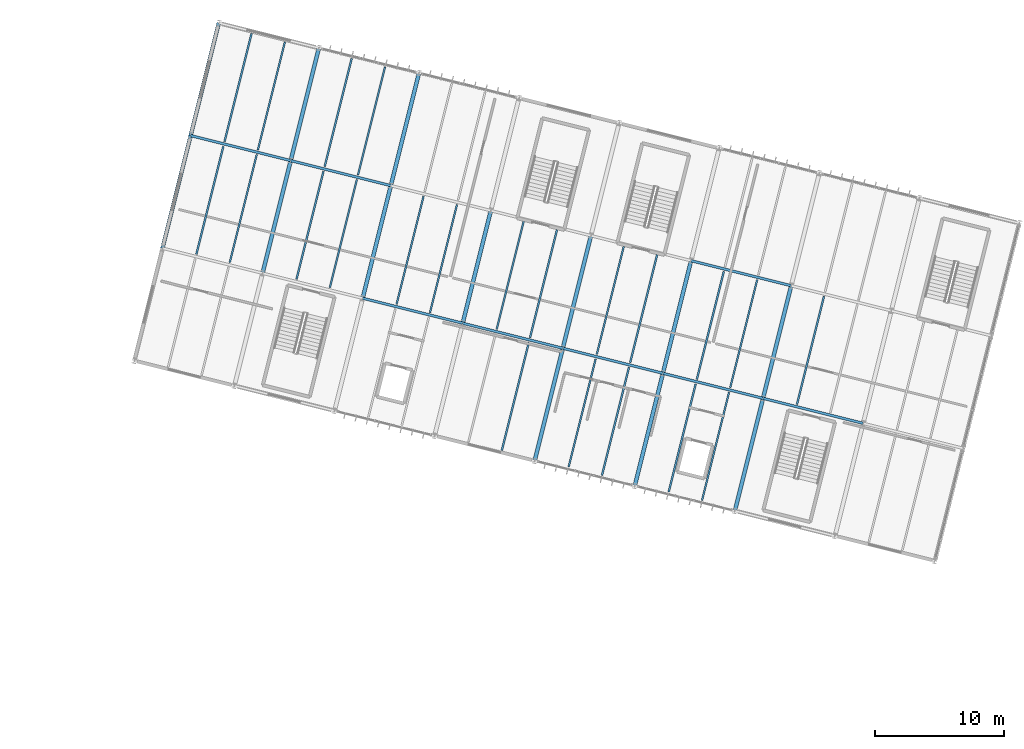
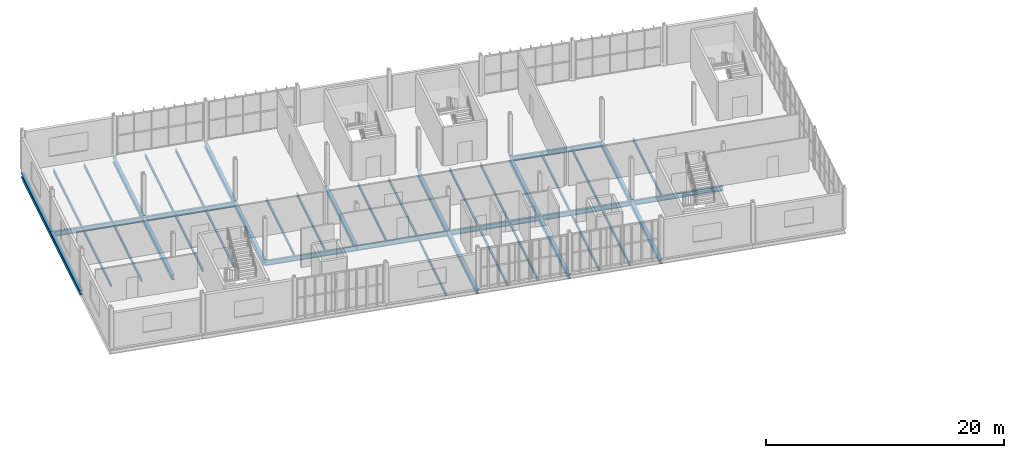
# One storey, part 28 of 61: 43 beams.
"""IFC4 building model written with IfcOpenShell, lengths in metres."""

from ifc_helpers import new_model, si_unit, derived_unit, direction, frame, origin, origin_2d, place, context, subcontext, project, spatial, i_section, extrude, material, material_profile, profile_set, type_object, element, save


model = new_model("IFC4")

# Units and contexts
model_context = context("Model", 3, precision=1e-05, world=origin(), true_north=direction((0.0, 1.0)))
body_context = subcontext(model_context, "Body", "Model", "MODEL_VIEW")
ifc_project = project(units=[si_unit("LENGTHUNIT", "METRE"), si_unit("AREAUNIT", "SQUARE_METRE"), si_unit("VOLUMEUNIT", "CUBIC_METRE"), si_unit("PLANEANGLEUNIT", "RADIAN"), si_unit("MASSUNIT", "GRAM", prefix="KILO"), si_unit("THERMODYNAMICTEMPERATUREUNIT", "KELVIN"), si_unit("TIMEUNIT", "SECOND"), derived_unit("THERMALTRANSMITTANCEUNIT", [(si_unit("MASSUNIT", "GRAM", prefix="KILO"), 1), (si_unit("THERMODYNAMICTEMPERATUREUNIT", "KELVIN"), -1), (si_unit("TIMEUNIT", "SECOND"), -3)])], contexts=[model_context])

# Site, building, storey
site_placement = place(None, origin())
site = spatial("IfcSite", under=ifc_project, at=site_placement, CompositionType="ELEMENT")
building_placement = place(site_placement, origin())
building = spatial("IfcBuilding", under=site, at=building_placement, Name="Cambertide Market Hall", CompositionType="ELEMENT")
storey_placement = place(building_placement, frame((0.0, 0.0, 9.89990234375)))
storey = spatial("IfcBuildingStorey", under=building, at=storey_placement, Name="L03", CompositionType="ELEMENT", Elevation=9.89990234375)

# Beams
ifc_material_1 = material(Name="Steel S355", Category="steel")
ifc_material_profile_1 = material_profile(ifc_material_1, i_section(OverallWidth=0.300048828125, OverallDepth=0.449951171875, WebThickness=0.013916015625, FlangeThickness=0.02587890625, FilletRadius=0.027099609375, at=origin_2d()), Name="HEB 450")
ifc_profile_set_1 = profile_set([ifc_material_profile_1], Name="Steel S355")
beam_type_1 = type_object("IfcBeamType", Name="Steel Girder HEB 450", PredefinedType="BEAM", material=ifc_profile_set_1)
beam_1_placement = place(storey_placement, frame((110.182861328125, 108.731201171875, -0.469970703125), z_axis=(0.242535625036, 0.970142500145, 0.0), x_axis=(-0.970142500145, 0.242535625036, 0.0)))
element("IfcBeam", 1, at=beam_1_placement, inside=storey, type_object=beam_type_1, Name="Level 3 Beam BM-V4V-L03-1-2", PredefinedType="BEAM", context=body_context, shape_type="SweptSolid", body=[
    extrude(i_section(OverallWidth=0.300048828125, OverallDepth=0.449951171875, WebThickness=0.013916015625, FlangeThickness=0.02587890625, FilletRadius=0.027099609375, at=origin_2d()), origin(), (0.0, 0.0, 1.0), 9.000244140625),
])
for number, where, z_axis, x_axis, name in (
    (2, (112.36572265625, 117.462646484375, -0.469970703125), (0.242542007841, 0.970140904422, 0.0), (-0.970140904422, 0.242542007841, 0.0), "Level 3 Beam BM-V4V-L03-1-3"),
    (3, (117.94384765625, 106.791015625, -0.469970703125), (0.242542007841, 0.970140904422, 0.0), (-0.970140904422, 0.242542007841, 0.0), "Level 3 Beam BM-V4V-L03-2-2"),
):
    element("IfcBeam", number, at=place(storey_placement, frame(where, z_axis=z_axis, x_axis=x_axis)), inside=storey, type_object=beam_type_1, Name=name, PredefinedType="BEAM", context=body_context, shape_type="SweptSolid", body=[
        extrude(i_section(OverallWidth=0.300048828125, OverallDepth=0.449951171875, WebThickness=0.013916015625, FlangeThickness=0.02587890625, FilletRadius=0.027099609375, at=origin_2d()), origin(), (0.0, 0.0, 1.0), 9.0),
    ])
beam_2_placement = place(storey_placement, frame((120.126708984375, 115.522216796875, -0.469970703125), z_axis=(0.242535625036, 0.970142500145, 0.0), x_axis=(-0.970142500145, 0.242535625036, 0.0)))
element("IfcBeam", 4, at=beam_2_placement, inside=storey, type_object=beam_type_1, Name="Level 3 Beam BM-V4V-L03-2-3", PredefinedType="BEAM", context=body_context, shape_type="SweptSolid", body=[
    extrude(i_section(OverallWidth=0.300048828125, OverallDepth=0.449951171875, WebThickness=0.013916015625, FlangeThickness=0.02587890625, FilletRadius=0.027099609375, at=origin_2d()), origin(), (0.0, 0.0, 1.0), 9.000244140625),
])
for number, where, z_axis, x_axis, name in (
    (5, (125.705078125, 104.850830078125, -0.469970703125), (0.242542007841, 0.970140904422, 0.0), (-0.970140904422, 0.242542007841, 0.0), "Level 3 Beam BM-V4V-L03-3-2"),
    (6, (127.887939453125, 113.58203125, -0.469970703125), (0.242542007841, 0.970140904422, 0.0), (-0.970140904422, 0.242542007841, 0.0), "Level 3 Beam BM-V4V-L03-3-3"),
    (7, (133.46630859375, 102.910400390625, -0.469970703125), (0.242542007841, 0.970140904422, 0.0), (-0.970140904422, 0.242542007841, 0.0), "Level 3 Beam BM-V4V-L03-4-2"),
    (8, (139.044677734375, 92.23876953125, -0.469970703125), (0.242510094215, 0.970148882494, 0.0), (-0.970148882494, 0.242510094215, 0.0), "Level 3 Beam BM-V4V-L03-5-1"),
    (9, (141.227294921875, 100.97021484375, -0.469970703125), (0.242542007841, 0.970140904422, 0.0), (-0.970140904422, 0.242542007841, 0.0), "Level 3 Beam BM-V4V-L03-5-2"),
    (10, (146.8056640625, 90.298583984375, -0.469970703125), (0.242542007841, 0.970140904422, 0.0), (-0.970140904422, 0.242542007841, 0.0), "Level 3 Beam BM-V4V-L03-6-1"),
):
    element("IfcBeam", number, at=place(storey_placement, frame(where, z_axis=z_axis, x_axis=x_axis)), inside=storey, type_object=beam_type_1, Name=name, PredefinedType="BEAM", context=body_context, shape_type="SweptSolid", body=[
        extrude(i_section(OverallWidth=0.300048828125, OverallDepth=0.449951171875, WebThickness=0.013916015625, FlangeThickness=0.02587890625, FilletRadius=0.027099609375, at=origin_2d()), origin(), (0.0, 0.0, 1.0), 9.0),
    ])
beam_3_placement = place(storey_placement, frame((148.988525390625, 99.02978515625, -0.469970703125), z_axis=(0.242535625036, 0.970142500145, 0.0), x_axis=(-0.970142500145, 0.242535625036, 0.0)))
element("IfcBeam", 11, at=beam_3_placement, inside=storey, type_object=beam_type_1, Name="Level 3 Beam BM-V4V-L03-6-2", PredefinedType="BEAM", context=body_context, shape_type="SweptSolid", body=[
    extrude(i_section(OverallWidth=0.300048828125, OverallDepth=0.449951171875, WebThickness=0.013916015625, FlangeThickness=0.02587890625, FilletRadius=0.027099609375, at=origin_2d()), origin(), (0.0, 0.0, 1.0), 9.000244140625),
])
beam_4_placement = place(storey_placement, frame((154.56689453125, 88.3583984375, -0.469970703125), z_axis=(0.242542007841, 0.970140904422, 0.0), x_axis=(-0.970140904422, 0.242542007841, 0.0)))
element("IfcBeam", 12, at=beam_4_placement, inside=storey, type_object=beam_type_1, Name="Level 3 Beam BM-V4V-L03-7-1", PredefinedType="BEAM", context=body_context, shape_type="SweptSolid", body=[
    extrude(i_section(OverallWidth=0.300048828125, OverallDepth=0.449951171875, WebThickness=0.013916015625, FlangeThickness=0.02587890625, FilletRadius=0.027099609375, at=origin_2d()), origin(), (0.0, 0.0, 1.0), 9.0),
])
beam_5_placement = place(storey_placement, frame((156.749755859375, 97.089599609375, -0.469970703125), z_axis=(0.242516476432, 0.970147287096, 0.0), x_axis=(-0.970147287096, 0.242516476432, 0.0)))
element("IfcBeam", 13, at=beam_5_placement, inside=storey, type_object=beam_type_1, Name="Level 3 Beam BM-V4V-L03-7-2", PredefinedType="BEAM", context=body_context, shape_type="SweptSolid", body=[
    extrude(i_section(OverallWidth=0.300048828125, OverallDepth=0.449951171875, WebThickness=0.013916015625, FlangeThickness=0.02587890625, FilletRadius=0.027099609375, at=origin_2d()), origin(), (0.0, 0.0, 1.0), 8.999755859375),
])
ifc_material_2 = material(Name="Steel S355", Category="steel")
ifc_material_profile_2 = material_profile(ifc_material_2, i_section(OverallWidth=0.199951171875, OverallDepth=0.5, WebThickness=0.01025390625, FlangeThickness=0.01611328125, FilletRadius=0.02099609375, at=origin_2d()), Name="IPE 500")
ifc_profile_set_2 = profile_set([ifc_material_profile_2], Name="Steel S355")
beam_type_2 = type_object("IfcBeamType", Name="Steel Girder IPE 500", PredefinedType="BEAM", material=ifc_profile_set_2)
for number, where, z_axis, x_axis, name in (
    (14, (112.36572265625, 117.462646484375, -0.494873046875), (0.970137114374, -0.242557167103, 0.0), (0.242557167103, 0.970137114374, 0.0), "Level 3 Beam BM-V4U-L03-1-3"),
    (15, (120.126708984375, 115.522216796875, -0.494873046875), (0.970146090314, -0.242521263911, 0.0), (0.242521263911, 0.970146090314, 0.0), "Level 3 Beam BM-V4U-L03-2-3"),
):
    element("IfcBeam", number, at=place(storey_placement, frame(where, z_axis=z_axis, x_axis=x_axis)), inside=storey, type_object=beam_type_2, Name=name, PredefinedType="BEAM", context=body_context, shape_type="SweptSolid", body=[
        extrude(i_section(OverallWidth=0.199951171875, OverallDepth=0.5, WebThickness=0.01025390625, FlangeThickness=0.01611328125, FilletRadius=0.02099609375, at=origin_2d()), origin(), (0.0, 0.0, 1.0), 8.0),
    ])
beam_6_placement = place(storey_placement, frame((125.705078125, 104.850830078125, -0.494873046875), z_axis=(0.970138909791, -0.242549986002, 0.0), x_axis=(0.242549986002, 0.970138909791, 0.0)))
element("IfcBeam", 16, at=beam_6_placement, inside=storey, type_object=beam_type_2, Name="Level 3 Beam BM-V4U-L03-3-2", PredefinedType="BEAM", context=body_context, shape_type="SweptSolid", body=[
    extrude(i_section(OverallWidth=0.199951171875, OverallDepth=0.5, WebThickness=0.01025390625, FlangeThickness=0.01611328125, FilletRadius=0.02099609375, at=origin_2d()), origin(), (0.0, 0.0, 1.0), 8.000244140625),
])
beam_7_placement = place(storey_placement, frame((133.46630859375, 102.910400390625, -0.494873046875), z_axis=(0.970144295309, -0.242528444268, 0.0), x_axis=(0.242528444268, 0.970144295309, 0.0)))
element("IfcBeam", 17, at=beam_7_placement, inside=storey, type_object=beam_type_2, Name="Level 3 Beam BM-V4U-L03-4-2", PredefinedType="BEAM", context=body_context, shape_type="SweptSolid", body=[
    extrude(i_section(OverallWidth=0.199951171875, OverallDepth=0.5, WebThickness=0.01025390625, FlangeThickness=0.01611328125, FilletRadius=0.02099609375, at=origin_2d()), origin(), (0.0, 0.0, 1.0), 7.999755859375),
])
beam_8_placement = place(storey_placement, frame((141.227294921875, 100.97021484375, -0.494873046875), z_axis=(0.970138909791, -0.242549986002, 0.0), x_axis=(0.242549986002, 0.970138909791, 0.0)))
element("IfcBeam", 18, at=beam_8_placement, inside=storey, type_object=beam_type_2, Name="Level 3 Beam BM-V4U-L03-5-2", PredefinedType="BEAM", context=body_context, shape_type="SweptSolid", body=[
    extrude(i_section(OverallWidth=0.199951171875, OverallDepth=0.5, WebThickness=0.01025390625, FlangeThickness=0.01611328125, FilletRadius=0.02099609375, at=origin_2d()), origin(), (0.0, 0.0, 1.0), 8.000244140625),
])
for number, where, z_axis, x_axis, name in (
    (19, (148.988525390625, 99.02978515625, -0.494873046875), (0.970146090314, -0.242521263911, 0.0), (0.242521263911, 0.970146090314, 0.0), "Level 3 Beam BM-V4U-L03-6-2"),
    (20, (151.17138671875, 107.76123046875, -0.494873046875), (0.970137114374, -0.242557167103, 0.0), (0.242557167103, 0.970137114374, 0.0), "Level 3 Beam BM-V4U-L03-6-3"),
    (21, (156.749755859375, 97.089599609375, -0.494873046875), (0.970137114374, -0.242557167103, 0.0), (0.242557167103, 0.970137114374, 0.0), "Level 3 Beam BM-V4U-L03-7-2"),
):
    element("IfcBeam", number, at=place(storey_placement, frame(where, z_axis=z_axis, x_axis=x_axis)), inside=storey, type_object=beam_type_2, Name=name, PredefinedType="BEAM", context=body_context, shape_type="SweptSolid", body=[
        extrude(i_section(OverallWidth=0.199951171875, OverallDepth=0.5, WebThickness=0.01025390625, FlangeThickness=0.01611328125, FilletRadius=0.02099609375, at=origin_2d()), origin(), (0.0, 0.0, 1.0), 8.0),
    ])
ifc_material_3 = material(Name="Steel S275", Category="steel")
ifc_material_profile_3 = material_profile(ifc_material_3, i_section(OverallWidth=0.135009765625, OverallDepth=0.27001953125, WebThickness=0.006591796875, FlangeThickness=0.01025390625, FilletRadius=0.014892578125, at=origin_2d()), Name="IPE 270")
ifc_profile_set_3 = profile_set([ifc_material_profile_3], Name="Steel S275")
beam_type_3 = type_object("IfcBeamType", Name="Steel Secondary Joist IPE 270", PredefinedType="JOIST", material=ifc_profile_set_3)
for number, where, z_axis, x_axis, name in (
    (22, (112.8134765625, 108.259033203125, -0.3798828125), (0.242528976348, 0.970144162293, 0.0), (-0.970144162293, 0.242528976348, 0.0), "Level 3 Joist JS-V4-L03-1-2-1"),
    (23, (115.400634765625, 107.6123046875, -0.3798828125), (0.242528976348, 0.970144162293, 0.0), (-0.970144162293, 0.242528976348, 0.0), "Level 3 Joist JS-V4-L03-1-2-2"),
    (24, (114.996337890625, 116.990478515625, -0.3798828125), (0.242528976348, 0.970144162293, 0.0), (-0.970144162293, 0.242528976348, 0.0), "Level 3 Joist JS-V4-L03-1-3-1"),
):
    element("IfcBeam", number, at=place(storey_placement, frame(where, z_axis=z_axis, x_axis=x_axis)), inside=storey, type_object=beam_type_3, Name=name, PredefinedType="JOIST", context=body_context, shape_type="SweptSolid", body=[
        extrude(i_section(OverallWidth=0.135009765625, OverallDepth=0.27001953125, WebThickness=0.006591796875, FlangeThickness=0.01025390625, FilletRadius=0.014892578125, at=origin_2d()), origin(), (0.0, 0.0, 1.0), 8.64013671875),
    ])
beam_9_placement = place(storey_placement, frame((117.58349609375, 116.34375, -0.3798828125), z_axis=(0.242535625036, 0.970142500145, 0.0), x_axis=(-0.970142500145, 0.242535625036, 0.0)))
element("IfcBeam", 25, at=beam_9_placement, inside=storey, type_object=beam_type_3, Name="Level 3 Joist JS-V4-L03-1-3-2", PredefinedType="JOIST", context=body_context, shape_type="SweptSolid", body=[
    extrude(i_section(OverallWidth=0.135009765625, OverallDepth=0.27001953125, WebThickness=0.006591796875, FlangeThickness=0.01025390625, FilletRadius=0.014892578125, at=origin_2d()), origin(), (0.0, 0.0, 1.0), 8.639892578125),
])
for number, where, z_axis, x_axis, name in (
    (26, (120.57470703125, 106.31884765625, -0.3798828125), (0.242528976348, 0.970144162293, 0.0), (-0.970144162293, 0.242528976348, 0.0), "Level 3 Joist JS-V4-L03-2-2-1"),
    (27, (123.16162109375, 105.672119140625, -0.3798828125), (0.242555570896, 0.970137513463, 0.0), (-0.970137513463, 0.242555570896, 0.0), "Level 3 Joist JS-V4-L03-2-2-2"),
    (28, (122.757568359375, 115.050048828125, -0.3798828125), (0.242528976348, 0.970144162293, 0.0), (-0.970144162293, 0.242528976348, 0.0), "Level 3 Joist JS-V4-L03-2-3-1"),
    (29, (125.344482421875, 114.4033203125, -0.3798828125), (0.242528976348, 0.970144162293, 0.0), (-0.970144162293, 0.242528976348, 0.0), "Level 3 Joist JS-V4-L03-2-3-2"),
):
    element("IfcBeam", number, at=place(storey_placement, frame(where, z_axis=z_axis, x_axis=x_axis)), inside=storey, type_object=beam_type_3, Name=name, PredefinedType="JOIST", context=body_context, shape_type="SweptSolid", body=[
        extrude(i_section(OverallWidth=0.135009765625, OverallDepth=0.27001953125, WebThickness=0.006591796875, FlangeThickness=0.01025390625, FilletRadius=0.014892578125, at=origin_2d()), origin(), (0.0, 0.0, 1.0), 8.64013671875),
    ])
for number, where, z_axis, x_axis, name in (
    (30, (128.335693359375, 104.378662109375, -0.3798828125), (0.242562220222, 0.970135850962, 0.0), (-0.970135850962, 0.242562220222, 0.0), "Level 3 Joist JS-V4-L03-3-2-1"),
    (31, (130.9228515625, 103.73193359375, -0.3798828125), (0.242535625036, 0.970142500145, 0.0), (-0.970142500145, 0.242535625036, 0.0), "Level 3 Joist JS-V4-L03-3-2-2"),
):
    element("IfcBeam", number, at=place(storey_placement, frame(where, z_axis=z_axis, x_axis=x_axis)), inside=storey, type_object=beam_type_3, Name=name, PredefinedType="JOIST", context=body_context, shape_type="SweptSolid", body=[
        extrude(i_section(OverallWidth=0.135009765625, OverallDepth=0.27001953125, WebThickness=0.006591796875, FlangeThickness=0.01025390625, FilletRadius=0.014892578125, at=origin_2d()), origin(), (0.0, 0.0, 1.0), 8.639892578125),
    ])
for number, where, z_axis, x_axis, name in (
    (32, (136.501220703125, 93.060302734375, -0.3798828125), (0.242528976348, 0.970144162293, 0.0), (-0.970144162293, 0.242528976348, 0.0), "Level 3 Joist JS-V4-L03-4-1-2"),
    (33, (136.096923828125, 102.438232421875, -0.3798828125), (0.242528976348, 0.970144162293, 0.0), (-0.970144162293, 0.242528976348, 0.0), "Level 3 Joist JS-V4-L03-4-2-1"),
    (34, (138.68408203125, 101.79150390625, -0.3798828125), (0.242528976348, 0.970144162293, 0.0), (-0.970144162293, 0.242528976348, 0.0), "Level 3 Joist JS-V4-L03-4-2-2"),
):
    element("IfcBeam", number, at=place(storey_placement, frame(where, z_axis=z_axis, x_axis=x_axis)), inside=storey, type_object=beam_type_3, Name=name, PredefinedType="JOIST", context=body_context, shape_type="SweptSolid", body=[
        extrude(i_section(OverallWidth=0.135009765625, OverallDepth=0.27001953125, WebThickness=0.006591796875, FlangeThickness=0.01025390625, FilletRadius=0.014892578125, at=origin_2d()), origin(), (0.0, 0.0, 1.0), 8.64013671875),
    ])
beam_10_placement = place(storey_placement, frame((141.67529296875, 91.766845703125, -0.3798828125), z_axis=(0.242535625036, 0.970142500145, 0.0), x_axis=(-0.970142500145, 0.242535625036, 0.0)))
element("IfcBeam", 35, at=beam_10_placement, inside=storey, type_object=beam_type_3, Name="Level 3 Joist JS-V4-L03-5-1-1", PredefinedType="JOIST", context=body_context, shape_type="SweptSolid", body=[
    extrude(i_section(OverallWidth=0.135009765625, OverallDepth=0.27001953125, WebThickness=0.006591796875, FlangeThickness=0.01025390625, FilletRadius=0.014892578125, at=origin_2d()), origin(), (0.0, 0.0, 1.0), 8.639892578125),
])
for number, where, z_axis, x_axis, name in (
    (36, (144.26220703125, 91.119873046875, -0.3798828125), (0.242555570896, 0.970137513463, 0.0), (-0.970137513463, 0.242555570896, 0.0), "Level 3 Joist JS-V4-L03-5-1-2"),
    (37, (143.858154296875, 100.498046875, -0.3798828125), (0.242528976348, 0.970144162293, 0.0), (-0.970144162293, 0.242528976348, 0.0), "Level 3 Joist JS-V4-L03-5-2-1"),
):
    element("IfcBeam", number, at=place(storey_placement, frame(where, z_axis=z_axis, x_axis=x_axis)), inside=storey, type_object=beam_type_3, Name=name, PredefinedType="JOIST", context=body_context, shape_type="SweptSolid", body=[
        extrude(i_section(OverallWidth=0.135009765625, OverallDepth=0.27001953125, WebThickness=0.006591796875, FlangeThickness=0.01025390625, FilletRadius=0.014892578125, at=origin_2d()), origin(), (0.0, 0.0, 1.0), 8.64013671875),
    ])
beam_11_placement = place(storey_placement, frame((146.445068359375, 99.851318359375, -0.3798828125), z_axis=(0.242535625036, 0.970142500145, 0.0), x_axis=(-0.970142500145, 0.242535625036, 0.0)))
element("IfcBeam", 38, at=beam_11_placement, inside=storey, type_object=beam_type_3, Name="Level 3 Joist JS-V4-L03-5-2-2", PredefinedType="JOIST", context=body_context, shape_type="SweptSolid", body=[
    extrude(i_section(OverallWidth=0.135009765625, OverallDepth=0.27001953125, WebThickness=0.006591796875, FlangeThickness=0.01025390625, FilletRadius=0.014892578125, at=origin_2d()), origin(), (0.0, 0.0, 1.0), 8.639892578125),
])
for number, where, z_axis, x_axis, name in (
    (39, (149.4365234375, 89.826416015625, -0.3798828125), (0.242528976348, 0.970144162293, 0.0), (-0.970144162293, 0.242528976348, 0.0), "Level 3 Joist JS-V4-L03-6-1-1"),
    (40, (152.0234375, 89.1796875, -0.3798828125), (0.242528976348, 0.970144162293, 0.0), (-0.970144162293, 0.242528976348, 0.0), "Level 3 Joist JS-V4-L03-6-1-2"),
    (41, (151.619140625, 98.5576171875, -0.3798828125), (0.242555570896, 0.970137513463, 0.0), (-0.970137513463, 0.242555570896, 0.0), "Level 3 Joist JS-V4-L03-6-2-1"),
    (42, (154.206298828125, 97.910888671875, -0.3798828125), (0.242528976348, 0.970144162293, 0.0), (-0.970144162293, 0.242528976348, 0.0), "Level 3 Joist JS-V4-L03-6-2-2"),
    (43, (159.38037109375, 96.617431640625, -0.3798828125), (0.242528976348, 0.970144162293, 0.0), (-0.970144162293, 0.242528976348, 0.0), "Level 3 Joist JS-V4-L03-7-2-1"),
):
    element("IfcBeam", number, at=place(storey_placement, frame(where, z_axis=z_axis, x_axis=x_axis)), inside=storey, type_object=beam_type_3, Name=name, PredefinedType="JOIST", context=body_context, shape_type="SweptSolid", body=[
        extrude(i_section(OverallWidth=0.135009765625, OverallDepth=0.27001953125, WebThickness=0.006591796875, FlangeThickness=0.01025390625, FilletRadius=0.014892578125, at=origin_2d()), origin(), (0.0, 0.0, 1.0), 8.64013671875),
    ])

save(model, "model.ifc")
